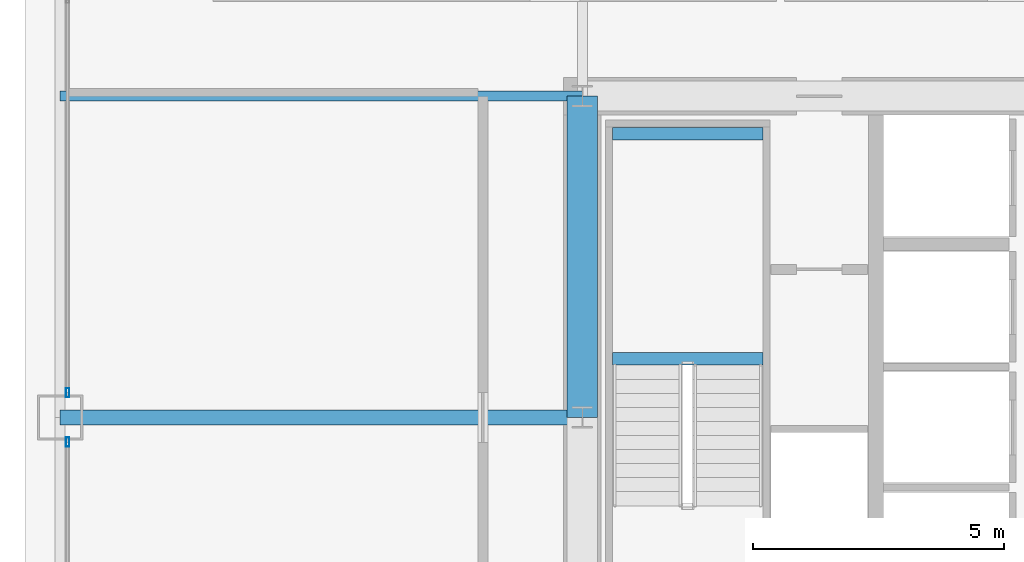
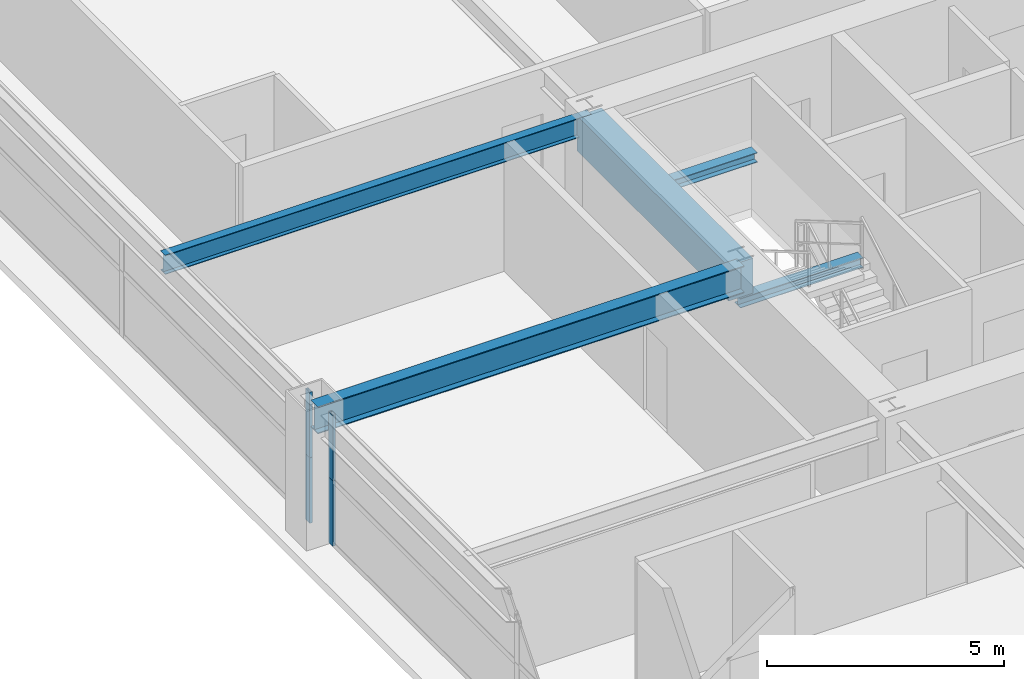
# One storey, part 12 of 43: 5 beams, 4 members, 2 elements without a shape of their own.
"""IFC4 building model written with IfcOpenShell, lengths in metres."""

from ifc_helpers import new_model, si_unit, direction, frame, origin, origin_2d, place, context, subcontext, project, spatial, rectangle, hollow_rectangle, i_section, extrude, source, transform, mapped, material, layer, layer_set, material_profile, profile_set, type_object, element, aggregate, save


model = new_model("IFC4")

# Units and contexts
model_context = context("Model", 3, precision=1e-05, world=origin(), true_north=direction((0.0, 1.0)))
body_context = subcontext(model_context, "Body", "Model", "MODEL_VIEW")
ifc_project = project(units=[si_unit("LENGTHUNIT", "METRE"), si_unit("AREAUNIT", "SQUARE_METRE"), si_unit("VOLUMEUNIT", "CUBIC_METRE"), si_unit("PLANEANGLEUNIT", "RADIAN"), si_unit("MASSUNIT", "GRAM", prefix="KILO"), si_unit("THERMODYNAMICTEMPERATUREUNIT", "KELVIN"), si_unit("POWERUNIT", "WATT")], contexts=[model_context])

# Site, building, storey
site_placement = place(None, origin())
site = spatial("IfcSite", under=ifc_project, at=site_placement, CompositionType="ELEMENT")
building_placement = place(site_placement, origin())
building = spatial("IfcBuilding", under=site, at=building_placement, Name="Yuzanri Waterfront Tower", CompositionType="ELEMENT")
storey_placement = place(building_placement, frame((0.0, 0.0, 108.199951171875)))
storey = spatial("IfcBuildingStorey", under=building, at=storey_placement, Name="L28", CompositionType="ELEMENT", Elevation=108.199951171875)

# Beams
ifc_material_1 = material(Name="Concrete C60", Category="concrete")
ifc_material_profile_1 = material_profile(ifc_material_1, rectangle(XDim=0.60009765625, YDim=0.89990234375, at=origin_2d()), Name="RC 600x900")
ifc_profile_set_1 = profile_set([ifc_material_profile_1], Name="Concrete C60")
beam_type_1 = type_object("IfcBeamType", Name="Core Coupling Lintel Concrete C60 600x900", PredefinedType="LINTEL", material=ifc_profile_set_1)
shared_shape_1 = source(origin(), body_context, "Body", "SweptSolid", [
    extrude(rectangle(XDim=0.60009765625, YDim=0.89990234375, at=origin_2d()), origin(), (0.0, 0.0, 1.0), 6.39990234375),
])
beam_1_placement = place(storey_placement, frame((23.800048828125, 25.800048828125, 2.929931640625), z_axis=(0.0, 1.0, 0.0), x_axis=(-1.0, 0.0, 0.0)))
element("IfcBeam", 1, at=beam_1_placement, inside=storey, type_object=beam_type_1, Name="L28 Core Tie Beam CW2", PredefinedType="LINTEL", context=body_context, shape_type="MappedRepresentation", body=[
    mapped(shared_shape_1, transform((0.0, 0.0, 0.0), scale=1.0)),
])
ifc_material_2 = material(Name="Steel Q355B", Category="steel")
ifc_material_profile_2 = material_profile(ifc_material_2, i_section(OverallWidth=0.300048828125, OverallDepth=0.699951171875, WebThickness=0.012939453125, FlangeThickness=0.02392578125, at=origin_2d()), Name="HN 700x300x13x24")
ifc_profile_set_2 = profile_set([ifc_material_profile_2], Name="Steel Q355B")
beam_type_2 = type_object("IfcBeamType", Name="Primary Floor Girder Q355B HN 700x300", PredefinedType="BEAM", material=ifc_profile_set_2)
shared_shape_2 = source(origin(), body_context, "Body", "SweptSolid", [
    extrude(i_section(OverallWidth=0.300048828125, OverallDepth=0.699951171875, WebThickness=0.012939453125, FlangeThickness=0.02392578125, at=origin_2d()), origin(), (0.0, 0.0, 1.0), 10.400146484375),
])
beam_2_placement = place(storey_placement, frame((23.800048828125, 25.800048828125, 3.030029296875), z_axis=(-1.0, 0.0, 0.0), x_axis=(0.0, -1.0, 0.0)))
element("IfcBeam", 2, at=beam_2_placement, inside=storey, type_object=beam_type_2, Name="L28 West Grid Girder", PredefinedType="BEAM", context=body_context, shape_type="MappedRepresentation", body=[
    mapped(shared_shape_2, transform((0.0, 0.0, 0.0), scale=1.0)),
])
ifc_material_3 = material(Name="Steel Q355B", Category="steel")
ifc_material_profile_3 = material_profile(ifc_material_3, i_section(OverallWidth=0.199951171875, OverallDepth=0.5, WebThickness=0.010009765625, FlangeThickness=0.01611328125, at=origin_2d()), Name="HN 500x200x10x16")
ifc_profile_set_3 = profile_set([ifc_material_profile_3], Name="Steel Q355B")
beam_type_3 = type_object("IfcBeamType", Name="Secondary Floor Beam Q355B HN 500x200", PredefinedType="BEAM", material=ifc_profile_set_3)
shared_shape_3 = source(origin(), body_context, "Body", "SweptSolid", [
    extrude(i_section(OverallWidth=0.199951171875, OverallDepth=0.5, WebThickness=0.010009765625, FlangeThickness=0.01611328125, at=origin_2d()), origin(), (0.0, 0.0, 1.0), 10.400146484375),
])
beam_3_placement = place(storey_placement, frame((23.800048828125, 32.199951171875, 3.130126953125), z_axis=(-1.0, 0.0, 0.0), x_axis=(0.0, -1.0, 0.0)))
element("IfcBeam", 3, at=beam_3_placement, inside=storey, type_object=beam_type_3, Name="L28 West-North Core Line Beam", PredefinedType="BEAM", context=body_context, shape_type="MappedRepresentation", body=[
    mapped(shared_shape_3, transform((0.0, 0.0, 0.0), scale=1.0)),
])

# Curtain wall, members
ifc_material_4 = material(Name="Anodized Architectural Bronze", Category="metal")
ifc_layer = layer(ifc_material_4, 0.159912109375)
ifc_layer_set = layer_set([ifc_layer], Name="Anodized Architectural Bronze")
curtain_wall_type = type_object("IfcCurtainWallType", Name="Anodized Bronze Hotel Upper-Tier Solar-Control Unitized Curtain Wall 7800", PredefinedType="NOTDEFINED", material=ifc_layer_set)
curtain_wall_1_placement = place(storey_placement, origin())
curtain_wall_1 = element("IfcCurtainWall", 4, at=curtain_wall_1_placement, inside=storey, type_object=curtain_wall_type, Name="L28 Curtain Wall CW-L28-WL", PredefinedType="NOTDEFINED")
ifc_material_5 = material(Name="Anodized Architectural Bronze", Category="metal")
ifc_material_profile_4 = material_profile(ifc_material_5, hollow_rectangle(XDim=0.070068359375, YDim=0.179931640625, WallThickness=0.00390625, at=origin_2d()), Name="CWM 70x180")
ifc_profile_set_4 = profile_set([ifc_material_profile_4], Name="Anodized Architectural Bronze")
member_type = type_object("IfcMemberType", Name="Anodized Bronze Standard Curtain-Wall Mullion 70x180", PredefinedType="MULLION", material=ifc_profile_set_4)
shared_shape_4 = source(origin(), body_context, "Body", "SweptSolid", [
    extrude(hollow_rectangle(XDim=0.070068359375, YDim=0.179931640625, WallThickness=0.00390625, at=origin_2d()), origin(), (0.0, 0.0, 1.0), 1.68798828125),
])
member_1_placement = place(storey_placement, frame((13.550048828125, 25.31005859375, 0.0), z_axis=(0.0, 0.0, 1.0), x_axis=(1.0, 0.0, 0.0)))
member_1 = element("IfcMember", 5, at=member_1_placement, type_object=member_type, Name="CW-L28-WL Lower Mullion 02", PredefinedType="MULLION", context=body_context, shape_type="MappedRepresentation", body=[
    mapped(shared_shape_4, transform((0.0, 0.0, 0.0), scale=1.0)),
])
member_2_placement = place(storey_placement, frame((13.550048828125, 25.31005859375, 1.692138671875), z_axis=(0.0, 0.0, 1.0), x_axis=(1.0, 0.0, 0.0)))
member_2 = element("IfcMember", 6, at=member_2_placement, type_object=member_type, Name="CW-L28-WL Upper Mullion 02", PredefinedType="MULLION", context=body_context, shape_type="MappedRepresentation", body=[
    mapped(shared_shape_4, transform((0.0, 0.0, 0.0), scale=1.0)),
])
aggregate(curtain_wall_1, [member_1, member_2])

curtain_wall_2_placement = place(storey_placement, origin())
curtain_wall_2 = element("IfcCurtainWall", 7, at=curtain_wall_2_placement, inside=storey, type_object=curtain_wall_type, Name="L28 Curtain Wall CW-L28-WR", PredefinedType="NOTDEFINED")
member_3_placement = place(storey_placement, frame((13.550048828125, 26.2900390625, 0.0), z_axis=(0.0, 0.0, 1.0), x_axis=(1.0, 0.0, 0.0)))
member_3 = element("IfcMember", 8, at=member_3_placement, type_object=member_type, Name="CW-L28-WR Lower Mullion 00", PredefinedType="MULLION", context=body_context, shape_type="MappedRepresentation", body=[
    mapped(shared_shape_4, transform((0.0, 0.0, 0.0), scale=1.0)),
])
member_4_placement = place(storey_placement, frame((13.550048828125, 26.2900390625, 1.692138671875), z_axis=(0.0, 0.0, 1.0), x_axis=(1.0, 0.0, 0.0)))
member_4 = element("IfcMember", 9, at=member_4_placement, type_object=member_type, Name="CW-L28-WR Upper Mullion 00", PredefinedType="MULLION", context=body_context, shape_type="MappedRepresentation", body=[
    mapped(shared_shape_4, transform((0.0, 0.0, 0.0), scale=1.0)),
])
aggregate(curtain_wall_2, [member_3, member_4])

# Beams
ifc_material_6 = material(Name="Steel Q355B", Category="steel")
ifc_material_profile_5 = material_profile(ifc_material_6, i_section(OverallWidth=0.25, OverallDepth=0.25, WebThickness=0.009033203125, FlangeThickness=0.013916015625, at=origin_2d()), Name="HW 250x250x9x14")
ifc_profile_set_5 = profile_set([ifc_material_profile_5], Name="Steel Q355B")
beam_type_4 = type_object("IfcBeamType", Name="Stair Landing Support Beam Q355B HW 250x250", PredefinedType="BEAM", material=ifc_profile_set_5)
shared_shape_5 = source(origin(), body_context, "Body", "SweptSolid", [
    extrude(i_section(OverallWidth=0.25, OverallDepth=0.25, WebThickness=0.009033203125, FlangeThickness=0.013916015625, at=origin_2d()), origin(), (0.0, 0.0, 1.0), 3.0),
])
for number, where, z_axis, x_axis, name in (
    (10, (24.39990234375, 26.969970703125, 1.47509765625), (1.0, 0.0, 0.0), (0.0, 1.0, 0.0), "L28 Stair Landing Support Beam ST-01-L28-L1-1"),
    (11, (24.39990234375, 31.449951171875, 1.47509765625), (1.0, 0.0, 0.0), (0.0, 1.0, 0.0), "L28 Stair Landing Support Beam ST-01-L28-L1-2"),
):
    element("IfcBeam", number, at=place(storey_placement, frame(where, z_axis=z_axis, x_axis=x_axis)), inside=storey, type_object=beam_type_4, Name=name, PredefinedType="BEAM", context=body_context, shape_type="MappedRepresentation", body=[
        mapped(shared_shape_5, transform((0.0, 0.0, 0.0), scale=1.0)),
    ])

save(model, "model.ifc")
